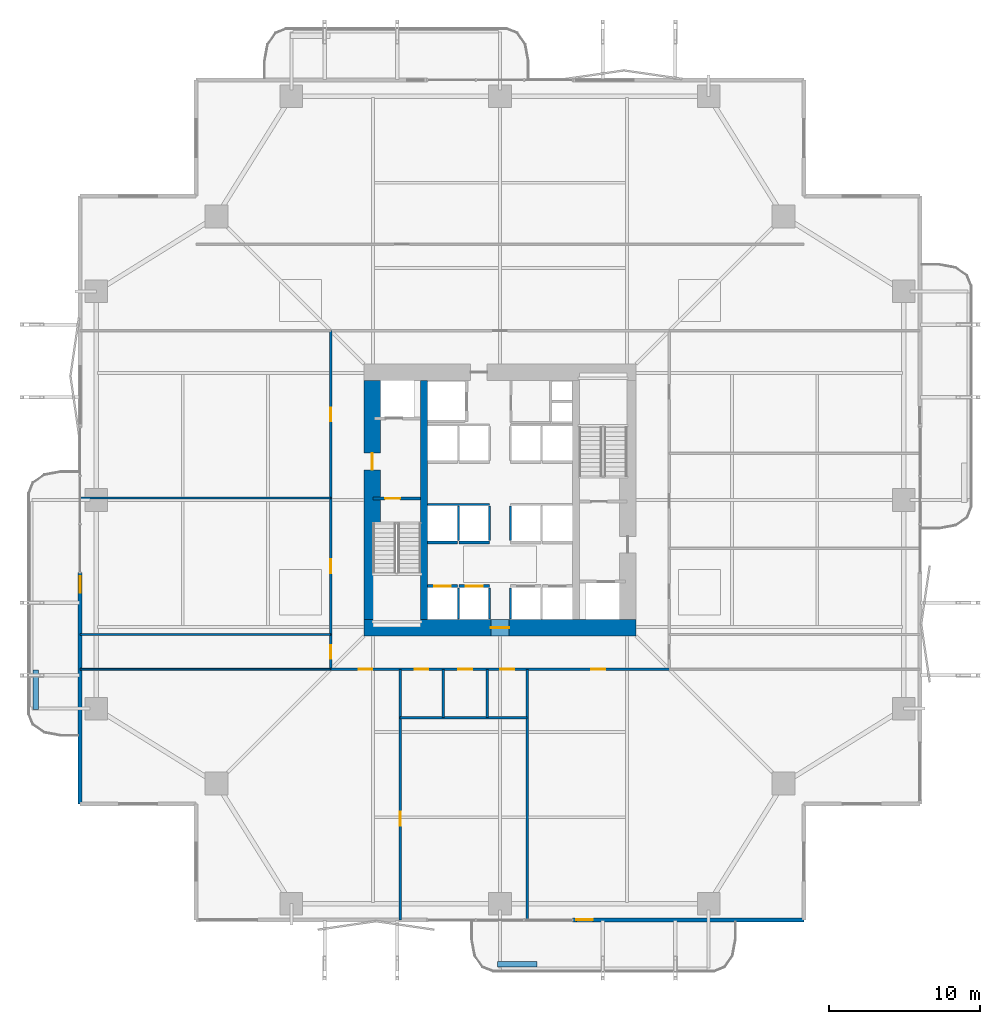
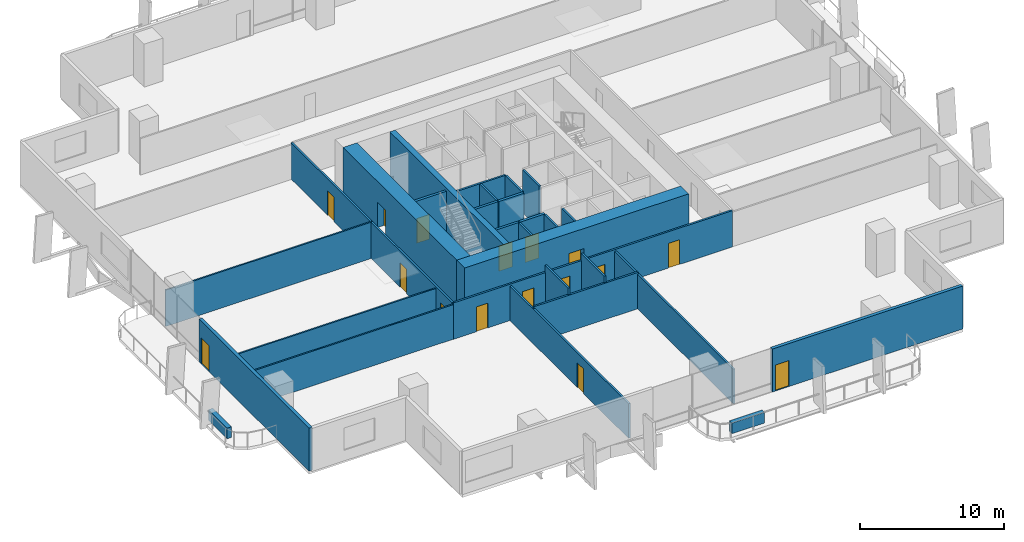
# One storey, part 17 of 24: 29 walls, 16 doors, 16 openings.
"""IFC4 building model written with IfcOpenShell, lengths in metres."""

from ifc_helpers import new_model, si_unit, direction, frame, frame_2d, origin, place, context, subcontext, project, spatial, rectangle, extrude, material, layer, layer_set, type_object, element, fill, save


model = new_model("IFC4")

# Units and contexts
model_context = context("Model", 3, precision=1e-05, world=origin(), true_north=direction((0.0, 1.0)))
body_context = subcontext(model_context, "Body", "Model", "MODEL_VIEW")
ifc_project = project(units=[si_unit("LENGTHUNIT", "METRE"), si_unit("AREAUNIT", "SQUARE_METRE"), si_unit("VOLUMEUNIT", "CUBIC_METRE"), si_unit("PLANEANGLEUNIT", "RADIAN"), si_unit("MASSUNIT", "GRAM", prefix="KILO")], contexts=[model_context])

# Site, building, storey
site_placement = place(None, origin())
site = spatial("IfcSite", under=ifc_project, at=site_placement, CompositionType="ELEMENT")
building_placement = place(site_placement, origin())
building = spatial("IfcBuilding", under=site, at=building_placement, Name="Belovzor Exchange Tower", CompositionType="ELEMENT")
storey_placement = place(building_placement, frame((0.0, 0.0, 37.800048828125)))
storey = spatial("IfcBuildingStorey", under=building, at=storey_placement, Name="L08", CompositionType="ELEMENT", Elevation=37.800048828125)

# Walls
ifc_material_1 = material(Name="Acoustic Plasterboard on Galvanised Studs", Category="gypsum")
ifc_layer_1 = layer(ifc_material_1, 0.1201171875)
ifc_layer_set_1 = layer_set([ifc_layer_1], Name="Acoustic Plasterboard on Galvanised Studs")
wall_type_1 = type_object("IfcWallType", Name="Acoustic Double-Stud Partition Wall 120", PredefinedType="PARTITIONING", material=ifc_layer_set_1)
for number, where, z_axis, x_axis, name in (
    (1, (1.030029296875, 17.60009765625, 0.0), (0.0, 0.0, 1.0), (1.0, 0.0, 0.0), "W-P120 Partition Wall W-L08-END-SW"),
    (2, (1.030029296875, 19.89990234375, 0.0), (0.0, 0.0, 1.0), (1.0, 0.0, 0.0), "W-P120 Partition Wall W-L08-WDIV-1"),
):
    element("IfcWall", number, at=place(storey_placement, frame(where, z_axis=z_axis, x_axis=x_axis)), inside=storey, type_object=wall_type_1, Name=name, PredefinedType="PARTITIONING", context=body_context, shape_type="SweptSolid", body=[
        extrude(rectangle(XDim=16.570068359375, YDim=0.1201171875, at=frame_2d((8.28515625, 0.0))), origin(), (0.0, 0.0, 1.0), 2.93505859375),
    ])
wall_1_placement = place(storey_placement, frame((1.030029296875, 28.929931640625, 0.0), z_axis=(0.0, 0.0, 1.0), x_axis=(1.0, 0.0, 0.0)))
element("IfcWall", 3, at=wall_1_placement, inside=storey, type_object=wall_type_1, Name="W-P120 Partition Wall W-L08-WDIV-2", PredefinedType="PARTITIONING", context=body_context, shape_type="SweptSolid", body=[
    extrude(rectangle(XDim=16.570068359375, YDim=0.1201171875, at=frame_2d((8.28515625, 0.0))), origin(), (0.0, 0.0, 1.0), 3.0849609375),
])
ifc_material_2 = material(Name="Fire-Rated Gypsum Block and Mineral Wool", Category="gypsum")
ifc_layer_2 = layer(ifc_material_2, 0.14990234375)
ifc_layer_set_2 = layer_set([ifc_layer_2], Name="Fire-Rated Gypsum Block and Mineral Wool")
wall_type_2 = type_object("IfcWallType", Name="Fire-Rated Gypsum Block Corridor Wall 150", PredefinedType="PARTITIONING", material=ifc_layer_set_2)
wall_2_placement = place(storey_placement, frame((22.199951171875, 14.39990234375, 0.0), z_axis=(0.0, 0.0, 1.0), x_axis=(1.0, 0.0, 0.0)))
element("IfcWall", 4, at=wall_2_placement, inside=storey, type_object=wall_type_2, Name="W-P150 Partition Wall W-L08-WCS", PredefinedType="PARTITIONING", context=body_context, shape_type="SweptSolid", body=[
    extrude(rectangle(XDim=8.400146484375, YDim=0.14990234375, at=frame_2d((4.2001953125, 0.0))), origin(), (0.0, 0.0, 1.0), 3.0849609375),
])

# Wall, opening, door
wall_3_placement = place(storey_placement, frame((22.199951171875, 1.030029296875, 0.0), z_axis=(0.0, 0.0, 1.0), x_axis=(0.0, 1.0, 0.0)))
wall_3 = element("IfcWall", 5, at=wall_3_placement, inside=storey, type_object=wall_type_2, Name="W-P150 Partition Wall W-L08-WCW", PredefinedType="PARTITIONING", context=body_context, shape_type="SweptSolid", body=[
    extrude(rectangle(XDim=16.570068359375, YDim=0.14990234375, at=frame_2d((8.28515625, 0.0))), origin(), (0.0, 0.0, 1.0), 2.93505859375),
])
opening_1_placement = place(wall_3_placement, frame((6.235107421875, 0.0, 0.0)))
opening_1 = element("IfcOpeningElement", 6, at=opening_1_placement, cuts=wall_3, Name="Opening D-INT-090", PredefinedType="OPENING", context=body_context, shape_type="SweptSolid", body=[
    extrude(rectangle(XDim=0.89990234375, YDim=2.10009765625, at=frame_2d((0.449951171875, 1.050048828125))), frame((0.0, 0.0849609375, 0.0), z_axis=(0.0, -1.0, 0.0), x_axis=(1.0, 0.0, 0.0)), (0.0, 0.0, 1.0), 0.169921875),
])
ifc_material_3 = material(Name="Veneered Hardwood Acoustic Leaf", Category="wood")
door_type_1 = type_object("IfcDoorType", Name="Trading Suite Acoustic Single Door 900x2100", OperationType="NOTDEFINED", PredefinedType="DOOR", material=ifc_material_3)
door_1_placement = place(opening_1_placement, origin())
door_1 = element("IfcDoor", 7, at=door_1_placement, inside=storey, type_object=door_type_1, Name="D-INT-090 Trading Suite Acoustic Single Door 900x2100", OperationType="SINGLE_SWING_LEFT", OverallHeight=2.10009765625, OverallWidth=0.89990234375, PredefinedType="DOOR", context=body_context, shape_type="SweptSolid", body=[
    extrude(rectangle(XDim=0.89990234375, YDim=2.10009765625, at=frame_2d((0.449951171875, 1.050048828125))), frame((0.0, 0.02490234375, 0.0), z_axis=(0.0, -1.0, 0.0), x_axis=(1.0, 0.0, 0.0)), (0.0, 0.0, 1.0), 0.050048828125),
])
fill(opening_1, door_1)

# Walls
wall_4_placement = place(storey_placement, frame((30.60009765625, 1.030029296875, 0.0), z_axis=(0.0, 0.0, 1.0), x_axis=(0.0, 1.0, 0.0)))
element("IfcWall", 8, at=wall_4_placement, inside=storey, type_object=wall_type_2, Name="W-P150 Partition Wall W-L08-WCE", PredefinedType="PARTITIONING", context=body_context, shape_type="SweptSolid", body=[
    extrude(rectangle(XDim=16.570068359375, YDim=0.14990234375, at=frame_2d((8.28515625, 0.0))), origin(), (0.0, 0.0, 1.0), 2.93505859375),
])
for number, where, z_axis, x_axis, name in (
    (9, (25.050048828125, 14.39990234375, 0.0), (0.0, 0.0, 1.0), (0.0, 1.0, 0.0), "W-P150 Partition Wall W-L08-WCD1"),
    (10, (27.949951171875, 14.39990234375, 0.0), (0.0, 0.0, 1.0), (0.0, 1.0, 0.0), "W-P150 Partition Wall W-L08-WCD2"),
):
    element("IfcWall", number, at=place(storey_placement, frame(where, z_axis=z_axis, x_axis=x_axis)), inside=storey, type_object=wall_type_2, Name=name, PredefinedType="PARTITIONING", context=body_context, shape_type="SweptSolid", body=[
        extrude(rectangle(XDim=3.2001953125, YDim=0.14990234375, at=frame_2d((1.60009765625, 0.0))), origin(), (0.0, 0.0, 1.0), 3.64990234375),
    ])

# Wall, openings, doors
wall_5_placement = place(storey_placement, frame((17.60009765625, 17.60009765625, 0.0), z_axis=(0.0, 0.0, 1.0), x_axis=(1.0, 0.0, 0.0)))
wall_5 = element("IfcWall", 11, at=wall_5_placement, inside=storey, type_object=wall_type_2, Name="W-P150 Partition Wall W-L08-CS", PredefinedType="PARTITIONING", context=body_context, shape_type="SweptSolid", body=[
    extrude(rectangle(XDim=22.39990234375, YDim=0.14990234375, at=frame_2d((11.199951171875, 0.0))), origin(), (0.0, 0.0, 1.0), 3.0849609375),
])
opening_2_placement = place(wall_5_placement, frame((1.85009765625, 0.0, 0.0)))
opening_2 = element("IfcOpeningElement", 12, at=opening_2_placement, cuts=wall_5, Name="Opening D-INT-090", PredefinedType="OPENING", context=body_context, shape_type="SweptSolid", body=[
    extrude(rectangle(XDim=0.89990234375, YDim=2.10009765625, at=frame_2d((0.449951171875, 1.050048828125))), frame((0.0, 0.0849609375, 0.0), z_axis=(0.0, -1.0, 0.0), x_axis=(1.0, 0.0, 0.0)), (0.0, 0.0, 1.0), 0.169921875),
])
opening_3_placement = place(wall_5_placement, frame((5.550048828125, 0.0, 0.0)))
opening_3 = element("IfcOpeningElement", 13, at=opening_3_placement, cuts=wall_5, Name="Opening D-FD60-090", PredefinedType="OPENING", context=body_context, shape_type="SweptSolid", body=[
    extrude(rectangle(XDim=0.89990234375, YDim=2.10009765625, at=frame_2d((0.449951171875, 1.050048828125))), frame((0.0, 0.0849609375, 0.0), z_axis=(0.0, -1.0, 0.0), x_axis=(1.0, 0.0, 0.0)), (0.0, 0.0, 1.0), 0.169921875),
])
opening_4_placement = place(wall_5_placement, frame((8.449951171875, 0.0, 0.0)))
opening_4 = element("IfcOpeningElement", 14, at=opening_4_placement, cuts=wall_5, Name="Opening D-FD60-090", PredefinedType="OPENING", context=body_context, shape_type="SweptSolid", body=[
    extrude(rectangle(XDim=0.89990234375, YDim=2.10009765625, at=frame_2d((0.449951171875, 1.050048828125))), frame((0.0, 0.0849609375, 0.0), z_axis=(0.0, -1.0, 0.0), x_axis=(1.0, 0.0, 0.0)), (0.0, 0.0, 1.0), 0.169921875),
])
opening_5_placement = place(wall_5_placement, frame((11.199951171875, 0.0, 0.0)))
opening_5 = element("IfcOpeningElement", 15, at=opening_5_placement, cuts=wall_5, Name="Opening D-FD60-095", PredefinedType="OPENING", context=body_context, shape_type="SweptSolid", body=[
    extrude(rectangle(XDim=0.949951171875, YDim=2.10009765625, at=frame_2d((0.47509765625, 1.050048828125))), frame((0.0, 0.0849609375, 0.0), z_axis=(0.0, -1.0, 0.0), x_axis=(1.0, 0.0, 0.0)), (0.0, 0.0, 1.0), 0.169921875),
])
opening_6_placement = place(wall_5_placement, frame((17.25, 0.0, 0.0)))
opening_6 = element("IfcOpeningElement", 16, at=opening_6_placement, cuts=wall_5, Name="Opening D-INT-090", PredefinedType="OPENING", context=body_context, shape_type="SweptSolid", body=[
    extrude(rectangle(XDim=0.89990234375, YDim=2.10009765625, at=frame_2d((0.449951171875, 1.050048828125))), frame((0.0, 0.0849609375, 0.0), z_axis=(0.0, -1.0, 0.0), x_axis=(1.0, 0.0, 0.0)), (0.0, 0.0, 1.0), 0.169921875),
])
ifc_material_4 = material(Name="Moisture-Resistant Timber Fire Leaf", Category="wood")
door_type_2 = type_object("IfcDoorType", Name="Accessible Restroom Wide Fire Door 950x2100", OperationType="NOTDEFINED", PredefinedType="DOOR", material=ifc_material_4)
door_2_placement = place(opening_5_placement, origin())
door_2 = element("IfcDoor", 17, at=door_2_placement, inside=storey, type_object=door_type_2, Name="D-FD60-095 Accessible Restroom Wide Fire Door 950x2100", OperationType="SINGLE_SWING_LEFT", OverallHeight=2.10009765625, OverallWidth=0.949951171875, PredefinedType="DOOR", context=body_context, shape_type="SweptSolid", body=[
    extrude(rectangle(XDim=0.949951171875, YDim=2.10009765625, at=frame_2d((0.47509765625, 1.050048828125))), frame((0.0, 0.02490234375, 0.0), z_axis=(0.0, -1.0, 0.0), x_axis=(1.0, 0.0, 0.0)), (0.0, 0.0, 1.0), 0.050048828125),
])
fill(opening_5, door_2)
ifc_material_5 = material(Name="Acoustic Timber Fire Leaf", Category="wood")
door_type_3 = type_object("IfcDoorType", Name="Core Service & Restroom Fire Door 900x2100", OperationType="NOTDEFINED", PredefinedType="DOOR", material=ifc_material_5)
door_3_placement = place(opening_3_placement, origin())
door_3 = element("IfcDoor", 18, at=door_3_placement, inside=storey, type_object=door_type_3, Name="D-FD60-090 Core Service & Restroom Fire Door 900x2100", OperationType="SINGLE_SWING_LEFT", OverallHeight=2.10009765625, OverallWidth=0.89990234375, PredefinedType="DOOR", context=body_context, shape_type="SweptSolid", body=[
    extrude(rectangle(XDim=0.89990234375, YDim=2.10009765625, at=frame_2d((0.449951171875, 1.050048828125))), frame((0.0, 0.02490234375, 0.0), z_axis=(0.0, -1.0, 0.0), x_axis=(1.0, 0.0, 0.0)), (0.0, 0.0, 1.0), 0.050048828125),
])
fill(opening_3, door_3)
door_4_placement = place(opening_4_placement, origin())
door_4 = element("IfcDoor", 19, at=door_4_placement, inside=storey, type_object=door_type_3, Name="D-FD60-090 Core Service & Restroom Fire Door 900x2100", OperationType="SINGLE_SWING_RIGHT", OverallHeight=2.10009765625, OverallWidth=0.89990234375, PredefinedType="DOOR", context=body_context, shape_type="SweptSolid", body=[
    extrude(rectangle(XDim=0.89990234375, YDim=2.10009765625, at=frame_2d((0.449951171875, 1.050048828125))), frame((0.0, 0.02490234375, 0.0), z_axis=(0.0, -1.0, 0.0), x_axis=(1.0, 0.0, 0.0)), (0.0, 0.0, 1.0), 0.050048828125),
])
fill(opening_4, door_4)
door_5_placement = place(opening_2_placement, origin())
door_5 = element("IfcDoor", 20, at=door_5_placement, inside=storey, type_object=door_type_1, Name="D-INT-090 Trading Suite Acoustic Single Door 900x2100", OperationType="SINGLE_SWING_LEFT", OverallHeight=2.10009765625, OverallWidth=0.89990234375, PredefinedType="DOOR", context=body_context, shape_type="SweptSolid", body=[
    extrude(rectangle(XDim=0.89990234375, YDim=2.10009765625, at=frame_2d((0.449951171875, 1.050048828125))), frame((0.0, 0.02490234375, 0.0), z_axis=(0.0, -1.0, 0.0), x_axis=(1.0, 0.0, 0.0)), (0.0, 0.0, 1.0), 0.050048828125),
])
fill(opening_2, door_5)
door_6_placement = place(opening_6_placement, origin())
door_6 = element("IfcDoor", 21, at=door_6_placement, inside=storey, type_object=door_type_1, Name="D-INT-090 Trading Suite Acoustic Single Door 900x2100", OperationType="SINGLE_SWING_RIGHT", OverallHeight=2.10009765625, OverallWidth=0.89990234375, PredefinedType="DOOR", context=body_context, shape_type="SweptSolid", body=[
    extrude(rectangle(XDim=0.89990234375, YDim=2.10009765625, at=frame_2d((0.449951171875, 1.050048828125))), frame((0.0, 0.02490234375, 0.0), z_axis=(0.0, -1.0, 0.0), x_axis=(1.0, 0.0, 0.0)), (0.0, 0.0, 1.0), 0.050048828125),
])
fill(opening_6, door_6)

wall_6_placement = place(storey_placement, frame((17.60009765625, 17.60009765625, 0.0), z_axis=(0.0, 0.0, 1.0), x_axis=(0.0, 1.0, 0.0)))
wall_6 = element("IfcWall", 22, at=wall_6_placement, inside=storey, type_object=wall_type_2, Name="W-P150 Partition Wall W-L08-CW", PredefinedType="PARTITIONING", context=body_context, shape_type="SweptSolid", body=[
    extrude(rectangle(XDim=22.39990234375, YDim=0.14990234375, at=frame_2d((11.199951171875, 0.0))), origin(), (0.0, 0.0, 1.0), 3.0849609375),
])
opening_7_placement = place(wall_6_placement, frame((0.699951171875, 0.0, 0.0)))
opening_7 = element("IfcOpeningElement", 23, at=opening_7_placement, cuts=wall_6, Name="Opening D-INT-090", PredefinedType="OPENING", context=body_context, shape_type="SweptSolid", body=[
    extrude(rectangle(XDim=0.89990234375, YDim=2.10009765625, at=frame_2d((0.449951171875, 1.050048828125))), frame((0.0, 0.0849609375, 0.0), z_axis=(0.0, -1.0, 0.0), x_axis=(1.0, 0.0, 0.0)), (0.0, 0.0, 1.0), 0.169921875),
])
opening_8_placement = place(wall_6_placement, frame((6.364990234375, 0.0, 0.0)))
opening_8 = element("IfcOpeningElement", 24, at=opening_8_placement, cuts=wall_6, Name="Opening D-INT-090", PredefinedType="OPENING", context=body_context, shape_type="SweptSolid", body=[
    extrude(rectangle(XDim=0.89990234375, YDim=2.10009765625, at=frame_2d((0.449951171875, 1.050048828125))), frame((0.0, 0.0849609375, 0.0), z_axis=(0.0, -1.0, 0.0), x_axis=(1.0, 0.0, 0.0)), (0.0, 0.0, 1.0), 0.169921875),
])
opening_9_placement = place(wall_6_placement, frame((16.4150390625, 0.0, 0.0)))
opening_9 = element("IfcOpeningElement", 25, at=opening_9_placement, cuts=wall_6, Name="Opening D-INT-090", PredefinedType="OPENING", context=body_context, shape_type="SweptSolid", body=[
    extrude(rectangle(XDim=0.89990234375, YDim=2.10009765625, at=frame_2d((0.449951171875, 1.050048828125))), frame((0.0, 0.0849609375, 0.0), z_axis=(0.0, -1.0, 0.0), x_axis=(1.0, 0.0, 0.0)), (0.0, 0.0, 1.0), 0.169921875),
])
door_7_placement = place(opening_7_placement, origin())
door_7 = element("IfcDoor", 26, at=door_7_placement, inside=storey, type_object=door_type_1, Name="D-INT-090 Trading Suite Acoustic Single Door 900x2100", OperationType="SINGLE_SWING_LEFT", OverallHeight=2.10009765625, OverallWidth=0.89990234375, PredefinedType="DOOR", context=body_context, shape_type="SweptSolid", body=[
    extrude(rectangle(XDim=0.89990234375, YDim=2.10009765625, at=frame_2d((0.449951171875, 1.050048828125))), frame((0.0, 0.02490234375, 0.0), z_axis=(0.0, -1.0, 0.0), x_axis=(1.0, 0.0, 0.0)), (0.0, 0.0, 1.0), 0.050048828125),
])
fill(opening_7, door_7)
door_8_placement = place(opening_8_placement, origin())
door_8 = element("IfcDoor", 27, at=door_8_placement, inside=storey, type_object=door_type_1, Name="D-INT-090 Trading Suite Acoustic Single Door 900x2100", OperationType="SINGLE_SWING_RIGHT", OverallHeight=2.10009765625, OverallWidth=0.89990234375, PredefinedType="DOOR", context=body_context, shape_type="SweptSolid", body=[
    extrude(rectangle(XDim=0.89990234375, YDim=2.10009765625, at=frame_2d((0.449951171875, 1.050048828125))), frame((0.0, 0.02490234375, 0.0), z_axis=(0.0, -1.0, 0.0), x_axis=(1.0, 0.0, 0.0)), (0.0, 0.0, 1.0), 0.050048828125),
])
fill(opening_8, door_8)
door_9_placement = place(opening_9_placement, origin())
door_9 = element("IfcDoor", 28, at=door_9_placement, inside=storey, type_object=door_type_1, Name="D-INT-090 Trading Suite Acoustic Single Door 900x2100", OperationType="SINGLE_SWING_LEFT", OverallHeight=2.10009765625, OverallWidth=0.89990234375, PredefinedType="DOOR", context=body_context, shape_type="SweptSolid", body=[
    extrude(rectangle(XDim=0.89990234375, YDim=2.10009765625, at=frame_2d((0.449951171875, 1.050048828125))), frame((0.0, 0.02490234375, 0.0), z_axis=(0.0, -1.0, 0.0), x_axis=(1.0, 0.0, 0.0)), (0.0, 0.0, 1.0), 0.050048828125),
])
fill(opening_9, door_9)

# Wall, opening, door
ifc_material_6 = material(Name="Precast concrete C40/50", Category="concrete")
ifc_layer_3 = layer(ifc_material_6, 0.260009765625)
ifc_layer_set_3 = layer_set([ifc_layer_3], Name="Precast concrete C40/50")
wall_type_3 = type_object("IfcWallType", Name="Precast Concrete Perimeter Loggia Frame Wall 260", PredefinedType="SOLIDWALL", material=ifc_layer_set_3)
wall_7_placement = place(storey_placement, frame((48.89990234375, 1.030029296875, 0.0), z_axis=(0.0, 0.0, 1.0), x_axis=(-1.0, 0.0, 0.0)))
wall_7 = element("IfcWall", 29, at=wall_7_placement, inside=storey, type_object=wall_type_3, Name="W-EXT260 Precast Concrete Perimeter Loggia Frame Wall 260 L08", PredefinedType="SOLIDWALL", context=body_context, shape_type="SweptSolid", body=[
    extrude(rectangle(XDim=15.2998046875, YDim=0.260009765625, at=frame_2d((7.64990234375, 0.0))), origin(), (0.0, 0.0, 1.0), 3.64990234375),
])
opening_10_placement = place(wall_7_placement, frame((13.949951171875, 0.0, 0.0)))
opening_10 = element("IfcOpeningElement", 30, at=opening_10_placement, cuts=wall_7, Name="Opening D-BAL110", PredefinedType="OPENING", context=body_context, shape_type="SweptSolid", body=[
    extrude(rectangle(XDim=1.10009765625, YDim=2.199951171875, at=frame_2d((0.550048828125, 1.10009765625))), frame((0.0, 0.139892578125, 0.0), z_axis=(0.0, -1.0, 0.0), x_axis=(1.0, 0.0, 0.0)), (0.0, 0.0, 1.0), 0.280029296875),
])
ifc_material_7 = material(Name="Thermally Broken Anodised Aluminium and Laminated Glass", Category="aluminium")
door_type_4 = type_object("IfcDoorType", Name="Planted Loggia Terrace Glazed Door 1100x2200", OperationType="SINGLE_SWING_LEFT", PredefinedType="DOOR", material=ifc_material_7)
door_10_placement = place(opening_10_placement, origin())
door_10 = element("IfcDoor", 31, at=door_10_placement, inside=storey, type_object=door_type_4, Name="D-BAL110 Balcony Terrace Door L08 S", OperationType="SINGLE_SWING_LEFT", OverallHeight=2.199951171875, OverallWidth=1.10009765625, PredefinedType="DOOR", context=body_context, shape_type="SweptSolid", body=[
    extrude(rectangle(XDim=1.10009765625, YDim=2.199951171875, at=frame_2d((0.550048828125, 1.10009765625))), frame((0.0, 0.02490234375, 0.0), z_axis=(0.0, -1.0, 0.0), x_axis=(1.0, 0.0, 0.0)), (0.0, 0.0, 1.0), 0.050048828125),
])
fill(opening_10, door_10)

wall_8_placement = place(storey_placement, frame((1.030029296875, 8.699951171875, 0.0), z_axis=(0.0, 0.0, 1.0), x_axis=(0.0, 1.0, 0.0)))
wall_8 = element("IfcWall", 32, at=wall_8_placement, inside=storey, type_object=wall_type_3, Name="W-EXT260 Precast Concrete Perimeter Loggia Frame Wall 260 L08", PredefinedType="SOLIDWALL", context=body_context, shape_type="SweptSolid", body=[
    extrude(rectangle(XDim=15.300048828125, YDim=0.260009765625, at=frame_2d((7.64990234375, 0.0))), origin(), (0.0, 0.0, 1.0), 3.64990234375),
])
opening_11_placement = place(wall_8_placement, frame((13.949951171875, 0.0, 0.0)))
opening_11 = element("IfcOpeningElement", 33, at=opening_11_placement, cuts=wall_8, Name="Opening D-BAL110", PredefinedType="OPENING", context=body_context, shape_type="SweptSolid", body=[
    extrude(rectangle(XDim=1.10009765625, YDim=2.199951171875, at=frame_2d((0.550048828125, 1.10009765625))), frame((0.0, 0.139892578125, 0.0), z_axis=(0.0, -1.0, 0.0), x_axis=(1.0, 0.0, 0.0)), (0.0, 0.0, 1.0), 0.280029296875),
])
door_11_placement = place(opening_11_placement, origin())
door_11 = element("IfcDoor", 34, at=door_11_placement, inside=storey, type_object=door_type_4, Name="D-BAL110 Balcony Terrace Door L08 W", OperationType="SINGLE_SWING_RIGHT", OverallHeight=2.199951171875, OverallWidth=1.10009765625, PredefinedType="DOOR", context=body_context, shape_type="SweptSolid", body=[
    extrude(rectangle(XDim=1.10009765625, YDim=2.199951171875, at=frame_2d((0.550048828125, 1.10009765625))), frame((0.0, 0.02490234375, 0.0), z_axis=(0.0, -1.0, 0.0), x_axis=(1.0, 0.0, 0.0)), (0.0, 0.0, 1.0), 0.050048828125),
])
fill(opening_11, door_11)

# Walls
ifc_material_8 = material(Name="Precast concrete C40/50", Category="concrete")
ifc_layer_4 = layer(ifc_material_8, 0.35009765625)
ifc_layer_set_4 = layer_set([ifc_layer_4], Name="Precast concrete C40/50")
wall_type_4 = type_object("IfcWallType", Name="Precast Concrete Structural Tree Planter Trough 350", PredefinedType="PARAPET", material=ifc_layer_set_4)
for number, where, z_axis, x_axis, name in (
    (35, (28.64990234375, -1.89990234375, 0.0), (0.0, 0.0, 1.0), (1.0, 0.0, 0.0), "PT-350 Precast Concrete Structural Tree Planter Trough 350 L08"),
    (36, (-1.89990234375, 14.949951171875, 0.0), (0.0, 0.0, 1.0), (0.0, 1.0, 0.0), "PT-350 Precast Concrete Structural Tree Planter Trough 350 L08"),
):
    element("IfcWall", number, at=place(storey_placement, frame(where, z_axis=z_axis, x_axis=x_axis)), inside=storey, type_object=wall_type_4, Name=name, PredefinedType="PARAPET", context=body_context, shape_type="SweptSolid", body=[
        extrude(rectangle(XDim=2.60009765625, YDim=0.35009765625, at=frame_2d((1.300048828125, 0.0))), origin(), (0.0, 0.0, 1.0), 0.89990234375),
    ])
ifc_material_9 = material(Name="Concrete C50/60", Category="concrete")
ifc_layer_5 = layer(ifc_material_9, 0.449951171875)
ifc_layer_set_5 = layer_set([ifc_layer_5], Name="Concrete C50/60")
wall_type_5 = type_object("IfcWallType", Name="Reinforced Concrete Core Internal Web Wall 450", PredefinedType="SHEAR", material=ifc_layer_set_5)
wall_9_placement = place(storey_placement, frame((23.77490234375, 20.89990234375, 0.0), z_axis=(0.0, 0.0, 1.0), x_axis=(0.0, 1.0, 0.0)))
element("IfcWall", 37, at=wall_9_placement, inside=storey, type_object=wall_type_5, Name="CW-W045 Core Internal Web Wall L08 WL", PredefinedType="SHEAR", context=body_context, shape_type="SweptSolid", body=[
    extrude(rectangle(XDim=15.800048828125, YDim=0.449951171875, at=frame_2d((7.89990234375, 0.0))), origin(), (0.0, 0.0, 1.0), 3.89990234375),
])
ifc_material_10 = material(Name="Concrete C50/60", Category="concrete")
ifc_layer_6 = layer(ifc_material_10, 0.14990234375)
ifc_layer_set_6 = layer_set([ifc_layer_6], Name="Concrete C50/60")
wall_type_6 = type_object("IfcWallType", Name="Reinforced Concrete Core Riser Shear Wall 150", PredefinedType="SHEAR", material=ifc_layer_set_6)
for number, where, z_axis, x_axis, name in (
    (38, (26.050048828125, 20.919921875, 0.0), (0.0, 0.0, 1.0), (0.0, 1.0, 0.0), "W-C150S Core Shaft Wall W-SHD-L08-PLL-1"),
    (39, (28.10009765625, 20.919921875, 0.0), (0.0, 0.0, 1.0), (0.0, 1.0, 0.0), "W-C150S Core Shaft Wall W-SHD-L08-PLL-2"),
    (40, (29.5, 20.919921875, 0.0), (0.0, 0.0, 1.0), (0.0, 1.0, 0.0), "W-C150S Core Shaft Wall W-SHD-L08-PLL-3"),
):
    element("IfcWall", number, at=place(storey_placement, frame(where, z_axis=z_axis, x_axis=x_axis)), inside=storey, type_object=wall_type_6, Name=name, PredefinedType="SHEAR", context=body_context, shape_type="SweptSolid", body=[
        extrude(rectangle(XDim=2.06005859375, YDim=0.14990234375, at=frame_2d((1.030029296875, 0.0))), origin(), (0.0, 0.0, 1.0), 3.64990234375),
    ])
wall_10_placement = place(storey_placement, frame((24.02001953125, 28.5, 0.0), z_axis=(0.0, 0.0, 1.0), x_axis=(1.0, 0.0, 0.0)))
element("IfcWall", 41, at=wall_10_placement, inside=storey, type_object=wall_type_6, Name="W-C150S Core Shaft Wall W-SHB-L08-PLM-NW", PredefinedType="SHEAR", context=body_context, shape_type="SweptSolid", body=[
    extrude(rectangle(XDim=4.080078125, YDim=0.14990234375, at=frame_2d((2.0400390625, 0.0))), origin(), (0.0, 0.0, 1.0), 3.64990234375),
])
for number, where, z_axis, x_axis, name in (
    (42, (26.050048828125, 26.1201171875, 0.0), (0.0, 0.0, 1.0), (0.0, 1.0, 0.0), "W-C150S Core Shaft Wall W-SHD-L08-PLM-1"),
    (43, (28.10009765625, 26.1201171875, 0.0), (0.0, 0.0, 1.0), (0.0, 1.0, 0.0), "W-C150S Core Shaft Wall W-SHD-L08-PLM-2"),
    (44, (29.5, 26.1201171875, 0.0), (0.0, 0.0, 1.0), (0.0, 1.0, 0.0), "W-C150S Core Shaft Wall W-SHD-L08-PLM-3"),
):
    element("IfcWall", number, at=place(storey_placement, frame(where, z_axis=z_axis, x_axis=x_axis)), inside=storey, type_object=wall_type_6, Name=name, PredefinedType="SHEAR", context=body_context, shape_type="SweptSolid", body=[
        extrude(rectangle(XDim=2.27978515625, YDim=0.14990234375, at=frame_2d((1.139892578125, 0.0))), origin(), (0.0, 0.0, 1.0), 3.64990234375),
    ])

# Wall, opening, door
ifc_material_11 = material(Name="Concrete C50/60", Category="concrete")
ifc_layer_7 = layer(ifc_material_11, 0.199951171875)
ifc_layer_set_7 = layer_set([ifc_layer_7], Name="Concrete C50/60")
wall_type_7 = type_object("IfcWallType", Name="Reinforced Concrete Core Shaft Shear Wall 200", PredefinedType="SHEAR", material=ifc_layer_set_7)
wall_11_placement = place(storey_placement, frame((20.39990234375, 28.89990234375, 0.0), z_axis=(0.0, 0.0, 1.0), x_axis=(1.0, 0.0, 0.0)))
wall_11 = element("IfcWall", 45, at=wall_11_placement, inside=storey, type_object=wall_type_7, Name="W-C200S Core Shaft Wall W-CORE-L08-FFLW1", PredefinedType="SHEAR", context=body_context, shape_type="SweptSolid", body=[
    extrude(rectangle(XDim=3.150146484375, YDim=0.199951171875, at=frame_2d((1.5751953125, 0.0))), origin(), (0.0, 0.0, 1.0), 3.64990234375),
])
opening_12_placement = place(wall_11_placement, frame((0.800048828125, 0.0, 0.0)))
opening_12 = element("IfcOpeningElement", 46, at=opening_12_placement, cuts=wall_11, Name="Opening D-FD90-100", PredefinedType="OPENING", context=body_context, shape_type="SweptSolid", body=[
    extrude(rectangle(XDim=1.0, YDim=2.10009765625, at=frame_2d((0.5, 1.050048828125))), frame((0.0, 0.10986328125, 0.0), z_axis=(0.0, -1.0, 0.0), x_axis=(1.0, 0.0, 0.0)), (0.0, 0.0, 1.0), 0.219970703125),
])
ifc_material_12 = material(Name="Fire-Rated Galvanised Steel Leaf", Category="steel")
door_type_5 = type_object("IfcDoorType", Name="Protected Stairwell Single Fire Door 1000x2100", OperationType="NOTDEFINED", PredefinedType="DOOR", material=ifc_material_12)
door_12_placement = place(opening_12_placement, origin())
door_12 = element("IfcDoor", 47, at=door_12_placement, inside=storey, type_object=door_type_5, Name="D-FD90-100 Protected Stairwell Single Fire Door 1000x2100", OperationType="SINGLE_SWING_RIGHT", OverallHeight=2.10009765625, OverallWidth=1.0, PredefinedType="DOOR", context=body_context, shape_type="SweptSolid", body=[
    extrude(rectangle(XDim=1.0, YDim=2.10009765625, at=frame_2d((0.5, 1.050048828125))), frame((0.0, 0.02490234375, 0.0), z_axis=(0.0, -1.0, 0.0), x_axis=(1.0, 0.0, 0.0)), (0.0, 0.0, 1.0), 0.050048828125),
])
fill(opening_12, door_12)

wall_12_placement = place(storey_placement, frame((24.0, 23.10009765625, 0.0), z_axis=(0.0, 0.0, 1.0), x_axis=(1.0, 0.0, 0.0)))
wall_12 = element("IfcWall", 48, at=wall_12_placement, inside=storey, type_object=wall_type_7, Name="W-C200S Core Shaft Wall W-SH-L08-PL-L1", PredefinedType="SHEAR", context=body_context, shape_type="SweptSolid", body=[
    extrude(rectangle(XDim=2.0, YDim=0.199951171875, at=frame_2d((1.0, 0.0))), origin(), (0.0, 0.0, 1.0), 3.64990234375),
])
opening_13_placement = place(wall_12_placement, frame((0.449951171875, 0.0, 0.0)))
opening_13 = element("IfcOpeningElement", 49, at=opening_13_placement, cuts=wall_12, Name="Opening LD-110", PredefinedType="OPENING", context=body_context, shape_type="SweptSolid", body=[
    extrude(rectangle(XDim=1.10009765625, YDim=2.14990234375, at=frame_2d((0.550048828125, 1.074951171875))), frame((0.0, 0.10986328125, 0.0), z_axis=(0.0, -1.0, 0.0), x_axis=(1.0, 0.0, 0.0)), (0.0, 0.0, 1.0), 0.219970703125),
])
ifc_material_13 = material(Name="Stainless Steel Grade 304", Category="steel")
door_type_6 = type_object("IfcDoorType", Name="Automated Stainless Steel Lift Landing Door 1100x2150", OperationType="SLIDING_TO_RIGHT", PredefinedType="DOOR", material=ifc_material_13)
door_13_placement = place(opening_13_placement, origin())
door_13 = element("IfcDoor", 50, at=door_13_placement, inside=storey, type_object=door_type_6, Name="LD-110 Automated Stainless Steel Lift Landing Door 1100x2150", OperationType="SLIDING_TO_RIGHT", OverallHeight=2.14990234375, OverallWidth=1.10009765625, PredefinedType="DOOR", context=body_context, shape_type="SweptSolid", body=[
    extrude(rectangle(XDim=1.10009765625, YDim=2.14990234375, at=frame_2d((0.550048828125, 1.074951171875))), frame((0.0, 0.02490234375, 0.0), z_axis=(0.0, -1.0, 0.0), x_axis=(1.0, 0.0, 0.0)), (0.0, 0.0, 1.0), 0.050048828125),
])
fill(opening_13, door_13)

wall_13_placement = place(storey_placement, frame((26.10009765625, 23.10009765625, 0.0), z_axis=(0.0, 0.0, 1.0), x_axis=(1.0, 0.0, 0.0)))
wall_13 = element("IfcWall", 51, at=wall_13_placement, inside=storey, type_object=wall_type_7, Name="W-C200S Core Shaft Wall W-SH-L08-PL-L2", PredefinedType="SHEAR", context=body_context, shape_type="SweptSolid", body=[
    extrude(rectangle(XDim=2.0, YDim=0.199951171875, at=frame_2d((1.0, 0.0))), origin(), (0.0, 0.0, 1.0), 3.64990234375),
])
opening_14_placement = place(wall_13_placement, frame((0.449951171875, 0.0, 0.0)))
opening_14 = element("IfcOpeningElement", 52, at=opening_14_placement, cuts=wall_13, Name="Opening LD-110", PredefinedType="OPENING", context=body_context, shape_type="SweptSolid", body=[
    extrude(rectangle(XDim=1.10009765625, YDim=2.14990234375, at=frame_2d((0.550048828125, 1.074951171875))), frame((0.0, 0.10986328125, 0.0), z_axis=(0.0, -1.0, 0.0), x_axis=(1.0, 0.0, 0.0)), (0.0, 0.0, 1.0), 0.219970703125),
])
door_14_placement = place(opening_14_placement, origin())
door_14 = element("IfcDoor", 53, at=door_14_placement, inside=storey, type_object=door_type_6, Name="LD-110 Automated Stainless Steel Lift Landing Door 1100x2150", OperationType="SLIDING_TO_RIGHT", OverallHeight=2.14990234375, OverallWidth=1.10009765625, PredefinedType="DOOR", context=body_context, shape_type="SweptSolid", body=[
    extrude(rectangle(XDim=1.10009765625, YDim=2.14990234375, at=frame_2d((0.550048828125, 1.074951171875))), frame((0.0, 0.02490234375, 0.0), z_axis=(0.0, -1.0, 0.0), x_axis=(1.0, 0.0, 0.0)), (0.0, 0.0, 1.0), 0.050048828125),
])
fill(opening_14, door_14)

# Walls
for number, where, z_axis, x_axis, name in (
    (54, (24.0, 26.0, 0.0), (0.0, 0.0, 1.0), (1.0, 0.0, 0.0), "W-C200S Core Shaft Wall W-SH-L08-PL-M1"),
    (55, (26.10009765625, 26.0, 0.0), (0.0, 0.0, 1.0), (1.0, 0.0, 0.0), "W-C200S Core Shaft Wall W-SH-L08-PL-M2"),
):
    element("IfcWall", number, at=place(storey_placement, frame(where, z_axis=z_axis, x_axis=x_axis)), inside=storey, type_object=wall_type_7, Name=name, PredefinedType="SHEAR", context=body_context, shape_type="SweptSolid", body=[
        extrude(rectangle(XDim=2.0, YDim=0.199951171875, at=frame_2d((1.0, 0.0))), origin(), (0.0, 0.0, 1.0), 3.64990234375),
    ])

# Wall, opening, door
ifc_material_14 = material(Name="Concrete C60/75", Category="concrete")
ifc_layer_8 = layer(ifc_material_14, 1.10009765625)
ifc_layer_set_8 = layer_set([ifc_layer_8], Name="Concrete C60/75")
wall_type_8 = type_object("IfcWallType", Name="Reinforced Concrete Core Shear Wall 1100", PredefinedType="SHEAR", material=ifc_layer_set_8)
wall_14_placement = place(storey_placement, frame((19.800048828125, 20.35009765625, 0.0), z_axis=(0.0, 0.0, 1.0), x_axis=(1.0, 0.0, 0.0)))
wall_14 = element("IfcWall", 56, at=wall_14_placement, inside=storey, type_object=wall_type_8, Name="CW-S110 Core Shear Wall L08 S", PredefinedType="SHEAR", context=body_context, shape_type="SweptSolid", body=[
    extrude(rectangle(XDim=18.0, YDim=1.10009765625, at=frame_2d((9.0, 0.0))), origin(), (0.0, 0.0, 1.0), 3.89990234375),
])
opening_15_placement = place(wall_14_placement, frame((8.39990234375, 0.0, 0.0)))
opening_15 = element("IfcOpeningElement", 57, at=opening_15_placement, cuts=wall_14, Name="Opening D-FD90-120", PredefinedType="OPENING", context=body_context, shape_type="SweptSolid", body=[
    extrude(rectangle(XDim=1.199951171875, YDim=2.199951171875, at=frame_2d((0.60009765625, 1.10009765625))), frame((0.0, 0.56005859375, 0.0), z_axis=(0.0, -1.0, 0.0), x_axis=(1.0, 0.0, 0.0)), (0.0, 0.0, 1.0), 1.1201171875),
])
ifc_material_15 = material(Name="Fire-Rated Galvanised Steel Leaf", Category="steel")
door_type_7 = type_object("IfcDoorType", Name="Heavy Plant & Foyer Fire Door 1200x2200", OperationType="NOTDEFINED", PredefinedType="DOOR", material=ifc_material_15)
door_15_placement = place(opening_15_placement, origin())
door_15 = element("IfcDoor", 58, at=door_15_placement, inside=storey, type_object=door_type_7, Name="D-FD90-120 Heavy Plant & Foyer Fire Door 1200x2200", OperationType="SINGLE_SWING_LEFT", OverallHeight=2.199951171875, OverallWidth=1.199951171875, PredefinedType="DOOR", context=body_context, shape_type="SweptSolid", body=[
    extrude(rectangle(XDim=1.199951171875, YDim=2.199951171875, at=frame_2d((0.60009765625, 1.10009765625))), frame((0.0, 0.02490234375, 0.0), z_axis=(0.0, -1.0, 0.0), x_axis=(1.0, 0.0, 0.0)), (0.0, 0.0, 1.0), 0.050048828125),
])
fill(opening_15, door_15)

wall_15_placement = place(storey_placement, frame((20.35009765625, 20.89990234375, 0.0), z_axis=(0.0, 0.0, 1.0), x_axis=(0.0, 1.0, 0.0)))
wall_15 = element("IfcWall", 59, at=wall_15_placement, inside=storey, type_object=wall_type_8, Name="CW-S110 Core Shear Wall L08 W", PredefinedType="SHEAR", context=body_context, shape_type="SweptSolid", body=[
    extrude(rectangle(XDim=15.800048828125, YDim=1.10009765625, at=frame_2d((7.89990234375, 0.0))), origin(), (0.0, 0.0, 1.0), 3.89990234375),
])
opening_16_placement = place(wall_15_placement, frame((9.89990234375, 0.0, 0.0)))
opening_16 = element("IfcOpeningElement", 60, at=opening_16_placement, cuts=wall_15, Name="Opening D-FD90-110", PredefinedType="OPENING", context=body_context, shape_type="SweptSolid", body=[
    extrude(rectangle(XDim=1.10009765625, YDim=2.14990234375, at=frame_2d((0.550048828125, 1.074951171875))), frame((0.0, 0.56005859375, 0.0), z_axis=(0.0, -1.0, 0.0), x_axis=(1.0, 0.0, 0.0)), (0.0, 0.0, 1.0), 1.1201171875),
])
ifc_material_16 = material(Name="Fire-Rated Galvanised Steel Leaf", Category="steel")
door_type_8 = type_object("IfcDoorType", Name="Protected Escape Vestibule Fire Door 1100x2150", OperationType="NOTDEFINED", PredefinedType="DOOR", material=ifc_material_16)
door_16_placement = place(opening_16_placement, origin())
door_16 = element("IfcDoor", 61, at=door_16_placement, inside=storey, type_object=door_type_8, Name="D-FD90-110 Protected Escape Vestibule Fire Door 1100x2150", OperationType="SINGLE_SWING_LEFT", OverallHeight=2.14990234375, OverallWidth=1.10009765625, PredefinedType="DOOR", context=body_context, shape_type="SweptSolid", body=[
    extrude(rectangle(XDim=1.10009765625, YDim=2.14990234375, at=frame_2d((0.550048828125, 1.074951171875))), frame((0.0, 0.02490234375, 0.0), z_axis=(0.0, -1.0, 0.0), x_axis=(1.0, 0.0, 0.0)), (0.0, 0.0, 1.0), 0.050048828125),
])
fill(opening_16, door_16)

save(model, "model.ifc")
